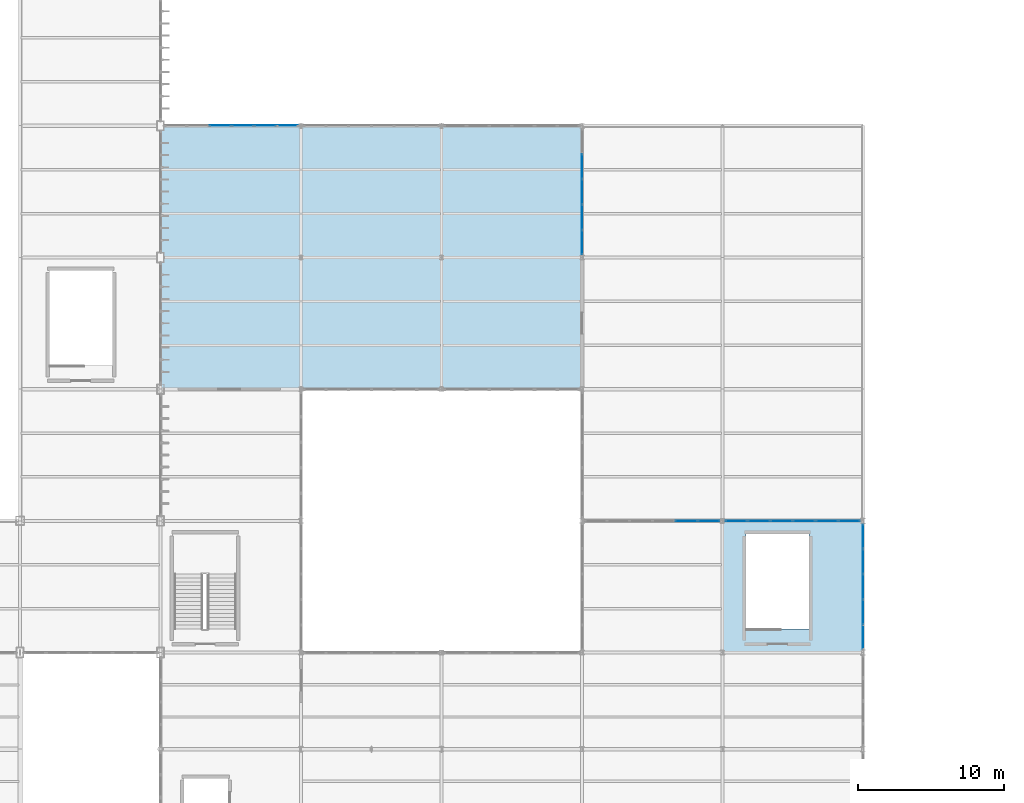
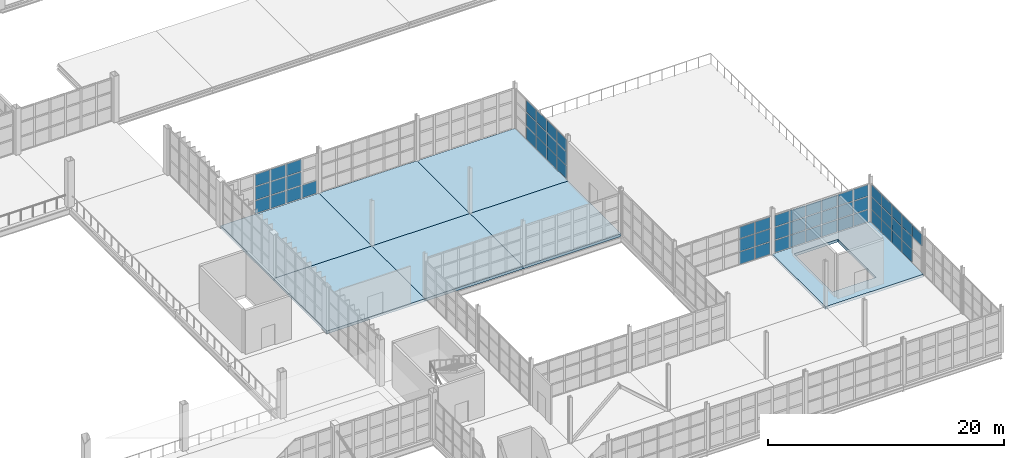
# One storey, part 93 of 120: 59 plates, 7 slabs, 5 elements without a shape of their own.
"""IFC4 building model written with IfcOpenShell, lengths in metres."""

from ifc_helpers import new_model, si_unit, direction, frame, origin, origin_2d, place, context, subcontext, project, spatial, polyline, rectangle, outline, extrude, material, layer, layer_set, type_object, element, aggregate, save


model = new_model("IFC4")

# Units and contexts
model_context = context("Model", 3, precision=1e-05, world=origin(), true_north=direction((0.0, 1.0)))
body_context = subcontext(model_context, "Body", "Model", "MODEL_VIEW")
ifc_project = project(units=[si_unit("LENGTHUNIT", "METRE"), si_unit("AREAUNIT", "SQUARE_METRE"), si_unit("VOLUMEUNIT", "CUBIC_METRE"), si_unit("PLANEANGLEUNIT", "RADIAN"), si_unit("MASSUNIT", "GRAM", prefix="KILO")], contexts=[model_context])

# Site, building, storey
site_placement = place(None, origin())
site = spatial("IfcSite", under=ifc_project, at=site_placement, CompositionType="ELEMENT")
building_placement = place(site_placement, origin())
building = spatial("IfcBuilding", under=site, at=building_placement, Name="Zarnetskaya Central Station", CompositionType="ELEMENT")
storey_placement = place(building_placement, frame((0.0, 0.0, 5.39990234375)))
storey = spatial("IfcBuildingStorey", under=building, at=storey_placement, Name="L01", CompositionType="ELEMENT", Elevation=5.39990234375)

# Curtain wall, plates
ifc_material_1 = material(Name="Low-E insulated glass", Category="glass")
ifc_layer_1 = layer(ifc_material_1, 0.159912109375, Name="Low-E insulated glass", Category="glass")
ifc_layer_set_1 = layer_set([ifc_layer_1], Name="Low-E insulated glass")
curtain_wall_type = type_object("IfcCurtainWallType", Name="CW-SYS-06", PredefinedType="USERDEFINED", material=ifc_layer_set_1)
curtain_wall_1_placement = place(storey_placement, origin())
curtain_wall_1 = element("IfcCurtainWall", 1, at=curtain_wall_1_placement, inside=storey, type_object=curtain_wall_type, Name="Curtain wall CW-L01-115", ObjectType="CURTAIN WALL", PredefinedType="USERDEFINED")
ifc_layer_2 = layer(ifc_material_1, 0.028076171875, Name="Low-E insulated glass", Category="glass")
ifc_layer_set_2 = layer_set([ifc_layer_2], Name="Low-E insulated glass")
plate_type_1 = type_object("IfcPlateType", Name="CW-PAN-28", PredefinedType="CURTAIN_PANEL", material=ifc_layer_set_2)
plate_1_placement = place(storey_placement, frame((153.60009765625, 46.4189453125, 0.0703125), z_axis=(0.0, 0.0, 1.0), x_axis=(0.0, -1.0, 0.0)))
plate_1 = element("IfcPlate", 2, at=plate_1_placement, type_object=plate_type_1, Name="CW-02 panel 2.1", PredefinedType="CURTAIN_PANEL", context=body_context, shape_type="SweptSolid", body=[
    extrude(rectangle(XDim=1.6640625, YDim=0.028076171875, at=origin_2d()), origin(), (0.0, 0.0, 1.0), 1.322998046875),
])
plate_2_placement = place(storey_placement, frame((153.60009765625, 46.4189453125, 1.463134765625), z_axis=(0.0, 0.0, 1.0), x_axis=(0.0, -1.0, 0.0)))
plate_2 = element("IfcPlate", 3, at=plate_2_placement, type_object=plate_type_1, Name="CW-02 panel 2.2", PredefinedType="CURTAIN_PANEL", context=body_context, shape_type="SweptSolid", body=[
    extrude(rectangle(XDim=1.6640625, YDim=0.028076171875, at=origin_2d()), origin(), (0.0, 0.0, 1.0), 1.35791015625),
])
plate_3_placement = place(storey_placement, frame((153.60009765625, 46.4189453125, 2.89111328125), z_axis=(0.0, 0.0, 1.0), x_axis=(0.0, -1.0, 0.0)))
plate_3 = element("IfcPlate", 4, at=plate_3_placement, type_object=plate_type_1, Name="CW-02 panel 2.3", PredefinedType="CURTAIN_PANEL", context=body_context, shape_type="SweptSolid", body=[
    extrude(rectangle(XDim=1.6640625, YDim=0.028076171875, at=origin_2d()), origin(), (0.0, 0.0, 1.0), 1.239013671875),
])
plate_4_placement = place(storey_placement, frame((153.60009765625, 44.68505859375, 0.0703125), z_axis=(0.0, 0.0, 1.0), x_axis=(0.0, -1.0, 0.0)))
plate_4 = element("IfcPlate", 5, at=plate_4_placement, type_object=plate_type_1, Name="CW-02 panel 3.1", PredefinedType="CURTAIN_PANEL", context=body_context, shape_type="SweptSolid", body=[
    extrude(rectangle(XDim=1.6640625, YDim=0.028076171875, at=origin_2d()), origin(), (0.0, 0.0, 1.0), 1.322998046875),
])
plate_5_placement = place(storey_placement, frame((153.60009765625, 44.68505859375, 1.463134765625), z_axis=(0.0, 0.0, 1.0), x_axis=(0.0, -1.0, 0.0)))
plate_5 = element("IfcPlate", 6, at=plate_5_placement, type_object=plate_type_1, Name="CW-02 panel 3.2", PredefinedType="CURTAIN_PANEL", context=body_context, shape_type="SweptSolid", body=[
    extrude(rectangle(XDim=1.6640625, YDim=0.028076171875, at=origin_2d()), origin(), (0.0, 0.0, 1.0), 1.35791015625),
])
plate_6_placement = place(storey_placement, frame((153.60009765625, 44.68505859375, 2.89111328125), z_axis=(0.0, 0.0, 1.0), x_axis=(0.0, -1.0, 0.0)))
plate_6 = element("IfcPlate", 7, at=plate_6_placement, type_object=plate_type_1, Name="CW-02 panel 3.3", PredefinedType="CURTAIN_PANEL", context=body_context, shape_type="SweptSolid", body=[
    extrude(rectangle(XDim=1.6640625, YDim=0.028076171875, at=origin_2d()), origin(), (0.0, 0.0, 1.0), 1.239013671875),
])
plate_7_placement = place(storey_placement, frame((153.60009765625, 42.950927734375, 0.0703125), z_axis=(0.0, 0.0, 1.0), x_axis=(0.0, -1.0, 0.0)))
plate_7 = element("IfcPlate", 8, at=plate_7_placement, type_object=plate_type_1, Name="CW-02 panel 4.1", PredefinedType="CURTAIN_PANEL", context=body_context, shape_type="SweptSolid", body=[
    extrude(rectangle(XDim=1.6640625, YDim=0.028076171875, at=origin_2d()), origin(), (0.0, 0.0, 1.0), 1.322998046875),
])
plate_8_placement = place(storey_placement, frame((153.60009765625, 42.950927734375, 1.463134765625), z_axis=(0.0, 0.0, 1.0), x_axis=(0.0, -1.0, 0.0)))
plate_8 = element("IfcPlate", 9, at=plate_8_placement, type_object=plate_type_1, Name="CW-02 panel 4.2", PredefinedType="CURTAIN_PANEL", context=body_context, shape_type="SweptSolid", body=[
    extrude(rectangle(XDim=1.6640625, YDim=0.028076171875, at=origin_2d()), origin(), (0.0, 0.0, 1.0), 1.35791015625),
])
plate_9_placement = place(storey_placement, frame((153.60009765625, 42.950927734375, 2.89111328125), z_axis=(0.0, 0.0, 1.0), x_axis=(0.0, -1.0, 0.0)))
plate_9 = element("IfcPlate", 10, at=plate_9_placement, type_object=plate_type_1, Name="CW-02 panel 4.3", PredefinedType="CURTAIN_PANEL", context=body_context, shape_type="SweptSolid", body=[
    extrude(rectangle(XDim=1.6640625, YDim=0.028076171875, at=origin_2d()), origin(), (0.0, 0.0, 1.0), 1.239013671875),
])
plate_10_placement = place(storey_placement, frame((153.60009765625, 41.234619140625, 0.0703125), z_axis=(0.0, 0.0, 1.0), x_axis=(0.0, -1.0, 0.0)))
plate_10 = element("IfcPlate", 11, at=plate_10_placement, type_object=plate_type_1, Name="CW-02 panel 5.1", PredefinedType="CURTAIN_PANEL", context=body_context, shape_type="SweptSolid", body=[
    extrude(rectangle(XDim=1.62890625, YDim=0.028076171875, at=origin_2d()), origin(), (0.0, 0.0, 1.0), 1.322998046875),
])
plate_11_placement = place(storey_placement, frame((153.60009765625, 41.234619140625, 1.463134765625), z_axis=(0.0, 0.0, 1.0), x_axis=(0.0, -1.0, 0.0)))
plate_11 = element("IfcPlate", 12, at=plate_11_placement, type_object=plate_type_1, Name="CW-02 panel 5.2", PredefinedType="CURTAIN_PANEL", context=body_context, shape_type="SweptSolid", body=[
    extrude(rectangle(XDim=1.62890625, YDim=0.028076171875, at=origin_2d()), origin(), (0.0, 0.0, 1.0), 1.35791015625),
])
plate_12_placement = place(storey_placement, frame((153.60009765625, 41.234619140625, 2.89111328125), z_axis=(0.0, 0.0, 1.0), x_axis=(0.0, -1.0, 0.0)))
plate_12 = element("IfcPlate", 13, at=plate_12_placement, type_object=plate_type_1, Name="CW-02 panel 5.3", PredefinedType="CURTAIN_PANEL", context=body_context, shape_type="SweptSolid", body=[
    extrude(rectangle(XDim=1.62890625, YDim=0.028076171875, at=origin_2d()), origin(), (0.0, 0.0, 1.0), 1.239013671875),
])
aggregate(curtain_wall_1, [plate_1, plate_2, plate_3, plate_4, plate_5, plate_6, plate_7, plate_8, plate_9, plate_10, plate_11, plate_12])

curtain_wall_2_placement = place(storey_placement, origin())
curtain_wall_2 = element("IfcCurtainWall", 14, at=curtain_wall_2_placement, inside=storey, type_object=curtain_wall_type, Name="Curtain wall CW-L01-112", ObjectType="CURTAIN WALL", PredefinedType="USERDEFINED")
ifc_layer_3 = layer(ifc_material_1, 0.035888671875, Name="Low-E insulated glass", Category="glass")
ifc_layer_set_3 = layer_set([ifc_layer_3], Name="Low-E insulated glass")
plate_type_2 = type_object("IfcPlateType", Name="CW-PAN-36", PredefinedType="CURTAIN_PANEL", material=ifc_layer_set_3)
plate_13_placement = place(storey_placement, frame((128.88330078125, 49.199951171875, 0.080078125), z_axis=(0.0, 0.0, 1.0), x_axis=(1.0, 0.0, 0.0)))
plate_13 = element("IfcPlate", 15, at=plate_13_placement, type_object=plate_type_2, Name="CW-02 panel 3.1", PredefinedType="CURTAIN_PANEL", context=body_context, shape_type="SweptSolid", body=[
    extrude(rectangle(XDim=1.453369140625, YDim=0.035888671875, at=origin_2d()), origin(), (0.0, 0.0, 1.0), 1.30810546875),
])
plate_14_placement = place(storey_placement, frame((128.88330078125, 49.199951171875, 1.46826171875), z_axis=(0.0, 0.0, 1.0), x_axis=(1.0, 0.0, 0.0)))
plate_14 = element("IfcPlate", 16, at=plate_14_placement, type_object=plate_type_2, Name="CW-02 panel 3.2", PredefinedType="CURTAIN_PANEL", context=body_context, shape_type="SweptSolid", body=[
    extrude(rectangle(XDim=1.453369140625, YDim=0.035888671875, at=origin_2d()), origin(), (0.0, 0.0, 1.0), 1.347900390625),
])
plate_15_placement = place(storey_placement, frame((128.88330078125, 49.199951171875, 2.89599609375), z_axis=(0.0, 0.0, 1.0), x_axis=(1.0, 0.0, 0.0)))
plate_15 = element("IfcPlate", 17, at=plate_15_placement, type_object=plate_type_2, Name="CW-02 panel 3.3", PredefinedType="CURTAIN_PANEL", context=body_context, shape_type="SweptSolid", body=[
    extrude(rectangle(XDim=1.453369140625, YDim=0.035888671875, at=origin_2d()), origin(), (0.0, 0.0, 1.0), 1.22412109375),
])
plate_16_placement = place(storey_placement, frame((130.416748046875, 49.199951171875, 0.080078125), z_axis=(0.0, 0.0, 1.0), x_axis=(1.0, 0.0, 0.0)))
plate_16 = element("IfcPlate", 18, at=plate_16_placement, type_object=plate_type_2, Name="CW-02 panel 4.1", PredefinedType="CURTAIN_PANEL", context=body_context, shape_type="SweptSolid", body=[
    extrude(rectangle(XDim=1.453369140625, YDim=0.035888671875, at=origin_2d()), origin(), (0.0, 0.0, 1.0), 1.30810546875),
])
plate_17_placement = place(storey_placement, frame((130.416748046875, 49.199951171875, 1.46826171875), z_axis=(0.0, 0.0, 1.0), x_axis=(1.0, 0.0, 0.0)))
plate_17 = element("IfcPlate", 19, at=plate_17_placement, type_object=plate_type_2, Name="CW-02 panel 4.2", PredefinedType="CURTAIN_PANEL", context=body_context, shape_type="SweptSolid", body=[
    extrude(rectangle(XDim=1.453369140625, YDim=0.035888671875, at=origin_2d()), origin(), (0.0, 0.0, 1.0), 1.347900390625),
])
plate_18_placement = place(storey_placement, frame((130.416748046875, 49.199951171875, 2.89599609375), z_axis=(0.0, 0.0, 1.0), x_axis=(1.0, 0.0, 0.0)))
plate_18 = element("IfcPlate", 20, at=plate_18_placement, type_object=plate_type_2, Name="CW-02 panel 4.3", PredefinedType="CURTAIN_PANEL", context=body_context, shape_type="SweptSolid", body=[
    extrude(rectangle(XDim=1.453369140625, YDim=0.035888671875, at=origin_2d()), origin(), (0.0, 0.0, 1.0), 1.22412109375),
])
plate_19_placement = place(storey_placement, frame((131.949951171875, 49.199951171875, 0.080078125), z_axis=(0.0, 0.0, 1.0), x_axis=(1.0, 0.0, 0.0)))
plate_19 = element("IfcPlate", 21, at=plate_19_placement, type_object=plate_type_2, Name="CW-02 panel 5.1", PredefinedType="CURTAIN_PANEL", context=body_context, shape_type="SweptSolid", body=[
    extrude(rectangle(XDim=1.453369140625, YDim=0.035888671875, at=origin_2d()), origin(), (0.0, 0.0, 1.0), 1.30810546875),
])
plate_20_placement = place(storey_placement, frame((131.949951171875, 49.199951171875, 1.46826171875), z_axis=(0.0, 0.0, 1.0), x_axis=(1.0, 0.0, 0.0)))
plate_20 = element("IfcPlate", 22, at=plate_20_placement, type_object=plate_type_2, Name="CW-02 panel 5.2", PredefinedType="CURTAIN_PANEL", context=body_context, shape_type="SweptSolid", body=[
    extrude(rectangle(XDim=1.453369140625, YDim=0.035888671875, at=origin_2d()), origin(), (0.0, 0.0, 1.0), 1.347900390625),
])
plate_21_placement = place(storey_placement, frame((131.949951171875, 49.199951171875, 2.89599609375), z_axis=(0.0, 0.0, 1.0), x_axis=(1.0, 0.0, 0.0)))
plate_21 = element("IfcPlate", 23, at=plate_21_placement, type_object=plate_type_2, Name="CW-02 panel 5.3", PredefinedType="CURTAIN_PANEL", context=body_context, shape_type="SweptSolid", body=[
    extrude(rectangle(XDim=1.453369140625, YDim=0.035888671875, at=origin_2d()), origin(), (0.0, 0.0, 1.0), 1.22412109375),
])
plate_22_placement = place(storey_placement, frame((133.46337890625, 49.199951171875, 0.080078125), z_axis=(0.0, 0.0, 1.0), x_axis=(1.0, 0.0, 0.0)))
plate_22 = element("IfcPlate", 24, at=plate_22_placement, type_object=plate_type_2, Name="CW-02 panel 6.1", PredefinedType="CURTAIN_PANEL", context=body_context, shape_type="SweptSolid", body=[
    extrude(rectangle(XDim=1.413330078125, YDim=0.035888671875, at=origin_2d()), origin(), (0.0, 0.0, 1.0), 1.30810546875),
])
aggregate(curtain_wall_2, [plate_13, plate_14, plate_15, plate_16, plate_17, plate_18, plate_19, plate_20, plate_21, plate_22])

curtain_wall_3_placement = place(storey_placement, origin())
curtain_wall_3 = element("IfcCurtainWall", 25, at=curtain_wall_3_placement, inside=storey, type_object=curtain_wall_type, Name="Curtain wall CW-L01-117", ObjectType="CURTAIN WALL", PredefinedType="USERDEFINED")
plate_23_placement = place(storey_placement, frame((160.72509765625, 22.199951171875, 0.070068359375), z_axis=(0.0, 0.0, 1.0), x_axis=(1.0, 0.0, 0.0)))
plate_23 = element("IfcPlate", 26, at=plate_23_placement, type_object=plate_type_2, Name="CW-02 panel 5.1", PredefinedType="CURTAIN_PANEL", context=body_context, shape_type="SweptSolid", body=[
    extrude(rectangle(XDim=1.47998046875, YDim=0.035888671875, at=origin_2d()), origin(), (0.0, 0.0, 1.0), 1.248046875),
])
plate_24_placement = place(storey_placement, frame((160.72509765625, 22.199951171875, 1.38818359375), z_axis=(0.0, 0.0, 1.0), x_axis=(1.0, 0.0, 0.0)))
plate_24 = element("IfcPlate", 27, at=plate_24_placement, type_object=plate_type_2, Name="CW-02 panel 5.2", PredefinedType="CURTAIN_PANEL", context=body_context, shape_type="SweptSolid", body=[
    extrude(rectangle(XDim=1.47998046875, YDim=0.035888671875, at=origin_2d()), origin(), (0.0, 0.0, 1.0), 1.282958984375),
])
plate_25_placement = place(storey_placement, frame((160.72509765625, 22.199951171875, 2.7412109375), z_axis=(0.0, 0.0, 1.0), x_axis=(1.0, 0.0, 0.0)))
plate_25 = element("IfcPlate", 28, at=plate_25_placement, type_object=plate_type_2, Name="CW-02 panel 5.3", PredefinedType="CURTAIN_PANEL", context=body_context, shape_type="SweptSolid", body=[
    extrude(rectangle(XDim=1.47998046875, YDim=0.035888671875, at=origin_2d()), origin(), (0.0, 0.0, 1.0), 1.1689453125),
])
plate_26_placement = place(storey_placement, frame((162.257568359375, 22.199951171875, 0.070068359375), z_axis=(0.0, 0.0, 1.0), x_axis=(1.0, 0.0, 0.0)))
plate_26 = element("IfcPlate", 29, at=plate_26_placement, type_object=plate_type_2, Name="CW-02 panel 6.1", PredefinedType="CURTAIN_PANEL", context=body_context, shape_type="SweptSolid", body=[
    extrude(rectangle(XDim=1.445068359375, YDim=0.035888671875, at=origin_2d()), origin(), (0.0, 0.0, 1.0), 1.248046875),
])
plate_27_placement = place(storey_placement, frame((162.257568359375, 22.199951171875, 1.38818359375), z_axis=(0.0, 0.0, 1.0), x_axis=(1.0, 0.0, 0.0)))
plate_27 = element("IfcPlate", 30, at=plate_27_placement, type_object=plate_type_2, Name="CW-02 panel 6.2", PredefinedType="CURTAIN_PANEL", context=body_context, shape_type="SweptSolid", body=[
    extrude(rectangle(XDim=1.445068359375, YDim=0.035888671875, at=origin_2d()), origin(), (0.0, 0.0, 1.0), 1.282958984375),
])
plate_28_placement = place(storey_placement, frame((162.257568359375, 22.199951171875, 2.7412109375), z_axis=(0.0, 0.0, 1.0), x_axis=(1.0, 0.0, 0.0)))
plate_28 = element("IfcPlate", 31, at=plate_28_placement, type_object=plate_type_2, Name="CW-02 panel 6.3", PredefinedType="CURTAIN_PANEL", context=body_context, shape_type="SweptSolid", body=[
    extrude(rectangle(XDim=1.445068359375, YDim=0.035888671875, at=origin_2d()), origin(), (0.0, 0.0, 1.0), 1.1689453125),
])
aggregate(curtain_wall_3, [plate_23, plate_24, plate_25, plate_26, plate_27, plate_28])

curtain_wall_4_placement = place(storey_placement, origin())
curtain_wall_4 = element("IfcCurtainWall", 32, at=curtain_wall_4_placement, inside=storey, type_object=curtain_wall_type, Name="Curtain wall CW-L01-118", ObjectType="CURTAIN WALL", PredefinedType="USERDEFINED")
ifc_layer_4 = layer(ifc_material_1, 0.0400390625, Name="Low-E insulated glass", Category="glass")
ifc_layer_set_4 = layer_set([ifc_layer_4], Name="Low-E insulated glass")
plate_type_3 = type_object("IfcPlateType", Name="CW-PAN-40", PredefinedType="CURTAIN_PANEL", material=ifc_layer_set_4)
plate_29_placement = place(storey_placement, frame((164.14501953125, 22.199951171875, 0.080078125), z_axis=(0.0, 0.0, 1.0), x_axis=(1.0, 0.0, 0.0)))
plate_29 = element("IfcPlate", 33, at=plate_29_placement, type_object=plate_type_3, Name="CW-02 panel 1.1", PredefinedType="CURTAIN_PANEL", context=body_context, shape_type="SweptSolid", body=[
    extrude(rectangle(XDim=1.429931640625, YDim=0.0400390625, at=origin_2d()), origin(), (0.0, 0.0, 1.0), 1.23291015625),
])
plate_30_placement = place(storey_placement, frame((164.14501953125, 22.199951171875, 1.39306640625), z_axis=(0.0, 0.0, 1.0), x_axis=(1.0, 0.0, 0.0)))
plate_30 = element("IfcPlate", 34, at=plate_30_placement, type_object=plate_type_3, Name="CW-02 panel 1.2", PredefinedType="CURTAIN_PANEL", context=body_context, shape_type="SweptSolid", body=[
    extrude(rectangle(XDim=1.429931640625, YDim=0.0400390625, at=origin_2d()), origin(), (0.0, 0.0, 1.0), 1.27294921875),
])
plate_31_placement = place(storey_placement, frame((164.14501953125, 22.199951171875, 2.74609375), z_axis=(0.0, 0.0, 1.0), x_axis=(1.0, 0.0, 0.0)))
plate_31 = element("IfcPlate", 35, at=plate_31_placement, type_object=plate_type_3, Name="CW-02 panel 1.3", PredefinedType="CURTAIN_PANEL", context=body_context, shape_type="SweptSolid", body=[
    extrude(rectangle(XDim=1.429931640625, YDim=0.0400390625, at=origin_2d()), origin(), (0.0, 0.0, 1.0), 1.154052734375),
])
plate_32_placement = place(storey_placement, frame((165.675048828125, 22.199951171875, 0.080078125), z_axis=(0.0, 0.0, 1.0), x_axis=(1.0, 0.0, 0.0)))
plate_32 = element("IfcPlate", 36, at=plate_32_placement, type_object=plate_type_3, Name="CW-02 panel 2.1", PredefinedType="CURTAIN_PANEL", context=body_context, shape_type="SweptSolid", body=[
    extrude(rectangle(XDim=1.469970703125, YDim=0.0400390625, at=origin_2d()), origin(), (0.0, 0.0, 1.0), 1.23291015625),
])
plate_33_placement = place(storey_placement, frame((165.675048828125, 22.199951171875, 1.39306640625), z_axis=(0.0, 0.0, 1.0), x_axis=(1.0, 0.0, 0.0)))
plate_33 = element("IfcPlate", 37, at=plate_33_placement, type_object=plate_type_3, Name="CW-02 panel 2.2", PredefinedType="CURTAIN_PANEL", context=body_context, shape_type="SweptSolid", body=[
    extrude(rectangle(XDim=1.469970703125, YDim=0.0400390625, at=origin_2d()), origin(), (0.0, 0.0, 1.0), 1.27294921875),
])
plate_34_placement = place(storey_placement, frame((165.675048828125, 22.199951171875, 2.74609375), z_axis=(0.0, 0.0, 1.0), x_axis=(1.0, 0.0, 0.0)))
plate_34 = element("IfcPlate", 38, at=plate_34_placement, type_object=plate_type_3, Name="CW-02 panel 2.3", PredefinedType="CURTAIN_PANEL", context=body_context, shape_type="SweptSolid", body=[
    extrude(rectangle(XDim=1.469970703125, YDim=0.0400390625, at=origin_2d()), origin(), (0.0, 0.0, 1.0), 1.154052734375),
])
plate_35_placement = place(storey_placement, frame((167.22509765625, 22.199951171875, 0.080078125), z_axis=(0.0, 0.0, 1.0), x_axis=(1.0, 0.0, 0.0)))
plate_35 = element("IfcPlate", 39, at=plate_35_placement, type_object=plate_type_3, Name="CW-02 panel 3.1", PredefinedType="CURTAIN_PANEL", context=body_context, shape_type="SweptSolid", body=[
    extrude(rectangle(XDim=1.469970703125, YDim=0.0400390625, at=origin_2d()), origin(), (0.0, 0.0, 1.0), 1.23291015625),
])
plate_36_placement = place(storey_placement, frame((167.22509765625, 22.199951171875, 1.39306640625), z_axis=(0.0, 0.0, 1.0), x_axis=(1.0, 0.0, 0.0)))
plate_36 = element("IfcPlate", 40, at=plate_36_placement, type_object=plate_type_3, Name="CW-02 panel 3.2", PredefinedType="CURTAIN_PANEL", context=body_context, shape_type="SweptSolid", body=[
    extrude(rectangle(XDim=1.469970703125, YDim=0.0400390625, at=origin_2d()), origin(), (0.0, 0.0, 1.0), 1.27294921875),
])
plate_37_placement = place(storey_placement, frame((167.22509765625, 22.199951171875, 2.74609375), z_axis=(0.0, 0.0, 1.0), x_axis=(1.0, 0.0, 0.0)))
plate_37 = element("IfcPlate", 41, at=plate_37_placement, type_object=plate_type_3, Name="CW-02 panel 3.3", PredefinedType="CURTAIN_PANEL", context=body_context, shape_type="SweptSolid", body=[
    extrude(rectangle(XDim=1.469970703125, YDim=0.0400390625, at=origin_2d()), origin(), (0.0, 0.0, 1.0), 1.154052734375),
])
plate_38_placement = place(storey_placement, frame((168.77490234375, 22.199951171875, 0.080078125), z_axis=(0.0, 0.0, 1.0), x_axis=(1.0, 0.0, 0.0)))
plate_38 = element("IfcPlate", 42, at=plate_38_placement, type_object=plate_type_3, Name="CW-02 panel 4.1", PredefinedType="CURTAIN_PANEL", context=body_context, shape_type="SweptSolid", body=[
    extrude(rectangle(XDim=1.469970703125, YDim=0.0400390625, at=origin_2d()), origin(), (0.0, 0.0, 1.0), 1.23291015625),
])
plate_39_placement = place(storey_placement, frame((168.77490234375, 22.199951171875, 1.39306640625), z_axis=(0.0, 0.0, 1.0), x_axis=(1.0, 0.0, 0.0)))
plate_39 = element("IfcPlate", 43, at=plate_39_placement, type_object=plate_type_3, Name="CW-02 panel 4.2", PredefinedType="CURTAIN_PANEL", context=body_context, shape_type="SweptSolid", body=[
    extrude(rectangle(XDim=1.469970703125, YDim=0.0400390625, at=origin_2d()), origin(), (0.0, 0.0, 1.0), 1.27294921875),
])
plate_40_placement = place(storey_placement, frame((168.77490234375, 22.199951171875, 2.74609375), z_axis=(0.0, 0.0, 1.0), x_axis=(1.0, 0.0, 0.0)))
plate_40 = element("IfcPlate", 44, at=plate_40_placement, type_object=plate_type_3, Name="CW-02 panel 4.3", PredefinedType="CURTAIN_PANEL", context=body_context, shape_type="SweptSolid", body=[
    extrude(rectangle(XDim=1.469970703125, YDim=0.0400390625, at=origin_2d()), origin(), (0.0, 0.0, 1.0), 1.154052734375),
])
plate_41_placement = place(storey_placement, frame((170.324951171875, 22.199951171875, 0.080078125), z_axis=(0.0, 0.0, 1.0), x_axis=(1.0, 0.0, 0.0)))
plate_41 = element("IfcPlate", 45, at=plate_41_placement, type_object=plate_type_3, Name="CW-02 panel 5.1", PredefinedType="CURTAIN_PANEL", context=body_context, shape_type="SweptSolid", body=[
    extrude(rectangle(XDim=1.469970703125, YDim=0.0400390625, at=origin_2d()), origin(), (0.0, 0.0, 1.0), 1.23291015625),
])
plate_42_placement = place(storey_placement, frame((170.324951171875, 22.199951171875, 1.39306640625), z_axis=(0.0, 0.0, 1.0), x_axis=(1.0, 0.0, 0.0)))
plate_42 = element("IfcPlate", 46, at=plate_42_placement, type_object=plate_type_3, Name="CW-02 panel 5.2", PredefinedType="CURTAIN_PANEL", context=body_context, shape_type="SweptSolid", body=[
    extrude(rectangle(XDim=1.469970703125, YDim=0.0400390625, at=origin_2d()), origin(), (0.0, 0.0, 1.0), 1.27294921875),
])
plate_43_placement = place(storey_placement, frame((170.324951171875, 22.199951171875, 2.74609375), z_axis=(0.0, 0.0, 1.0), x_axis=(1.0, 0.0, 0.0)))
plate_43 = element("IfcPlate", 47, at=plate_43_placement, type_object=plate_type_3, Name="CW-02 panel 5.3", PredefinedType="CURTAIN_PANEL", context=body_context, shape_type="SweptSolid", body=[
    extrude(rectangle(XDim=1.469970703125, YDim=0.0400390625, at=origin_2d()), origin(), (0.0, 0.0, 1.0), 1.154052734375),
])
plate_44_placement = place(storey_placement, frame((171.85498046875, 22.199951171875, 0.080078125), z_axis=(0.0, 0.0, 1.0), x_axis=(1.0, 0.0, 0.0)))
plate_44 = element("IfcPlate", 48, at=plate_44_placement, type_object=plate_type_3, Name="CW-02 panel 6.1", PredefinedType="CURTAIN_PANEL", context=body_context, shape_type="SweptSolid", body=[
    extrude(rectangle(XDim=1.429931640625, YDim=0.0400390625, at=origin_2d()), origin(), (0.0, 0.0, 1.0), 1.23291015625),
])
plate_45_placement = place(storey_placement, frame((171.85498046875, 22.199951171875, 1.39306640625), z_axis=(0.0, 0.0, 1.0), x_axis=(1.0, 0.0, 0.0)))
plate_45 = element("IfcPlate", 49, at=plate_45_placement, type_object=plate_type_3, Name="CW-02 panel 6.2", PredefinedType="CURTAIN_PANEL", context=body_context, shape_type="SweptSolid", body=[
    extrude(rectangle(XDim=1.429931640625, YDim=0.0400390625, at=origin_2d()), origin(), (0.0, 0.0, 1.0), 1.27294921875),
])
plate_46_placement = place(storey_placement, frame((171.85498046875, 22.199951171875, 2.74609375), z_axis=(0.0, 0.0, 1.0), x_axis=(1.0, 0.0, 0.0)))
plate_46 = element("IfcPlate", 50, at=plate_46_placement, type_object=plate_type_3, Name="CW-02 panel 6.3", PredefinedType="CURTAIN_PANEL", context=body_context, shape_type="SweptSolid", body=[
    extrude(rectangle(XDim=1.429931640625, YDim=0.0400390625, at=origin_2d()), origin(), (0.0, 0.0, 1.0), 1.154052734375),
])
aggregate(curtain_wall_4, [plate_29, plate_30, plate_31, plate_32, plate_33, plate_34, plate_35, plate_36, plate_37, plate_38, plate_39, plate_40, plate_41, plate_42, plate_43, plate_44, plate_45, plate_46])

curtain_wall_5_placement = place(storey_placement, origin())
curtain_wall_5 = element("IfcCurtainWall", 51, at=curtain_wall_5_placement, inside=storey, type_object=curtain_wall_type, Name="Curtain wall CW-L01-119", ObjectType="CURTAIN WALL", PredefinedType="USERDEFINED")
ifc_layer_5 = layer(ifc_material_1, 0.0439453125, Name="Low-E insulated glass", Category="glass")
ifc_layer_set_5 = layer_set([ifc_layer_5], Name="Low-E insulated glass")
plate_type_4 = type_object("IfcPlateType", Name="CW-PAN-44", PredefinedType="CURTAIN_PANEL", material=ifc_layer_set_5)
plate_47_placement = place(storey_placement, frame((172.800048828125, 21.138427734375, 0.0703125), z_axis=(0.0, 0.0, 1.0), x_axis=(0.0, -1.0, 0.0)))
plate_47 = element("IfcPlate", 52, at=plate_47_placement, type_object=plate_type_4, Name="CW-02 panel 1.1", PredefinedType="CURTAIN_PANEL", context=body_context, shape_type="SweptSolid", body=[
    extrude(rectangle(XDim=1.623046875, YDim=0.0439453125, at=origin_2d()), origin(), (0.0, 0.0, 1.0), 1.264892578125),
])
plate_48_placement = place(storey_placement, frame((172.800048828125, 21.138427734375, 1.4052734375), z_axis=(0.0, 0.0, 1.0), x_axis=(0.0, -1.0, 0.0)))
plate_48 = element("IfcPlate", 53, at=plate_48_placement, type_object=plate_type_4, Name="CW-02 panel 1.2", PredefinedType="CURTAIN_PANEL", context=body_context, shape_type="SweptSolid", body=[
    extrude(rectangle(XDim=1.623046875, YDim=0.0439453125, at=origin_2d()), origin(), (0.0, 0.0, 1.0), 1.300048828125),
])
plate_49_placement = place(storey_placement, frame((172.800048828125, 21.138427734375, 2.775146484375), z_axis=(0.0, 0.0, 1.0), x_axis=(0.0, -1.0, 0.0)))
plate_49 = element("IfcPlate", 54, at=plate_49_placement, type_object=plate_type_4, Name="CW-02 panel 1.3", PredefinedType="CURTAIN_PANEL", context=body_context, shape_type="SweptSolid", body=[
    extrude(rectangle(XDim=1.623046875, YDim=0.0439453125, at=origin_2d()), origin(), (0.0, 0.0, 1.0), 1.18505859375),
])
plate_50_placement = place(storey_placement, frame((172.800048828125, 19.427978515625, 0.0703125), z_axis=(0.0, 0.0, 1.0), x_axis=(0.0, -1.0, 0.0)))
plate_50 = element("IfcPlate", 55, at=plate_50_placement, type_object=plate_type_4, Name="CW-02 panel 2.1", PredefinedType="CURTAIN_PANEL", context=body_context, shape_type="SweptSolid", body=[
    extrude(rectangle(XDim=1.657958984375, YDim=0.0439453125, at=origin_2d()), origin(), (0.0, 0.0, 1.0), 1.264892578125),
])
plate_51_placement = place(storey_placement, frame((172.800048828125, 19.427978515625, 1.4052734375), z_axis=(0.0, 0.0, 1.0), x_axis=(0.0, -1.0, 0.0)))
plate_51 = element("IfcPlate", 56, at=plate_51_placement, type_object=plate_type_4, Name="CW-02 panel 2.2", PredefinedType="CURTAIN_PANEL", context=body_context, shape_type="SweptSolid", body=[
    extrude(rectangle(XDim=1.657958984375, YDim=0.0439453125, at=origin_2d()), origin(), (0.0, 0.0, 1.0), 1.300048828125),
])
plate_52_placement = place(storey_placement, frame((172.800048828125, 19.427978515625, 2.775146484375), z_axis=(0.0, 0.0, 1.0), x_axis=(0.0, -1.0, 0.0)))
plate_52 = element("IfcPlate", 57, at=plate_52_placement, type_object=plate_type_4, Name="CW-02 panel 2.3", PredefinedType="CURTAIN_PANEL", context=body_context, shape_type="SweptSolid", body=[
    extrude(rectangle(XDim=1.657958984375, YDim=0.0439453125, at=origin_2d()), origin(), (0.0, 0.0, 1.0), 1.18505859375),
])
plate_53_placement = place(storey_placement, frame((172.800048828125, 17.699951171875, 0.0703125), z_axis=(0.0, 0.0, 1.0), x_axis=(0.0, -1.0, 0.0)))
plate_53 = element("IfcPlate", 58, at=plate_53_placement, type_object=plate_type_4, Name="CW-02 panel 3.1", PredefinedType="CURTAIN_PANEL", context=body_context, shape_type="SweptSolid", body=[
    extrude(rectangle(XDim=1.657958984375, YDim=0.0439453125, at=origin_2d()), origin(), (0.0, 0.0, 1.0), 1.264892578125),
])
plate_54_placement = place(storey_placement, frame((172.800048828125, 17.699951171875, 1.4052734375), z_axis=(0.0, 0.0, 1.0), x_axis=(0.0, -1.0, 0.0)))
plate_54 = element("IfcPlate", 59, at=plate_54_placement, type_object=plate_type_4, Name="CW-02 panel 3.2", PredefinedType="CURTAIN_PANEL", context=body_context, shape_type="SweptSolid", body=[
    extrude(rectangle(XDim=1.657958984375, YDim=0.0439453125, at=origin_2d()), origin(), (0.0, 0.0, 1.0), 1.300048828125),
])
plate_55_placement = place(storey_placement, frame((172.800048828125, 17.699951171875, 2.775146484375), z_axis=(0.0, 0.0, 1.0), x_axis=(0.0, -1.0, 0.0)))
plate_55 = element("IfcPlate", 60, at=plate_55_placement, type_object=plate_type_4, Name="CW-02 panel 3.3", PredefinedType="CURTAIN_PANEL", context=body_context, shape_type="SweptSolid", body=[
    extrude(rectangle(XDim=1.657958984375, YDim=0.0439453125, at=origin_2d()), origin(), (0.0, 0.0, 1.0), 1.18505859375),
])
plate_56_placement = place(storey_placement, frame((172.800048828125, 15.971923828125, 0.0703125), z_axis=(0.0, 0.0, 1.0), x_axis=(0.0, -1.0, 0.0)))
plate_56 = element("IfcPlate", 61, at=plate_56_placement, type_object=plate_type_4, Name="CW-02 panel 4.1", PredefinedType="CURTAIN_PANEL", context=body_context, shape_type="SweptSolid", body=[
    extrude(rectangle(XDim=1.657958984375, YDim=0.0439453125, at=origin_2d()), origin(), (0.0, 0.0, 1.0), 1.264892578125),
])
plate_57_placement = place(storey_placement, frame((172.800048828125, 15.971923828125, 1.4052734375), z_axis=(0.0, 0.0, 1.0), x_axis=(0.0, -1.0, 0.0)))
plate_57 = element("IfcPlate", 62, at=plate_57_placement, type_object=plate_type_4, Name="CW-02 panel 4.2", PredefinedType="CURTAIN_PANEL", context=body_context, shape_type="SweptSolid", body=[
    extrude(rectangle(XDim=1.657958984375, YDim=0.0439453125, at=origin_2d()), origin(), (0.0, 0.0, 1.0), 1.300048828125),
])
plate_58_placement = place(storey_placement, frame((172.800048828125, 15.971923828125, 2.775146484375), z_axis=(0.0, 0.0, 1.0), x_axis=(0.0, -1.0, 0.0)))
plate_58 = element("IfcPlate", 63, at=plate_58_placement, type_object=plate_type_4, Name="CW-02 panel 4.3", PredefinedType="CURTAIN_PANEL", context=body_context, shape_type="SweptSolid", body=[
    extrude(rectangle(XDim=1.657958984375, YDim=0.0439453125, at=origin_2d()), origin(), (0.0, 0.0, 1.0), 1.18505859375),
])
plate_59_placement = place(storey_placement, frame((172.800048828125, 14.261474609375, 2.775146484375), z_axis=(0.0, 0.0, 1.0), x_axis=(0.0, -1.0, 0.0)))
plate_59 = element("IfcPlate", 64, at=plate_59_placement, type_object=plate_type_4, Name="CW-02 panel 5.3", PredefinedType="CURTAIN_PANEL", context=body_context, shape_type="SweptSolid", body=[
    extrude(rectangle(XDim=1.623046875, YDim=0.0439453125, at=origin_2d()), origin(), (0.0, 0.0, 1.0), 1.18505859375),
])
aggregate(curtain_wall_5, [plate_47, plate_48, plate_49, plate_50, plate_51, plate_52, plate_53, plate_54, plate_55, plate_56, plate_57, plate_58, plate_59])

# Slabs
ifc_material_2 = material(Name="Concrete C30/37", Category="concrete")
ifc_layer_6 = layer(ifc_material_2, 0.280029296875, Name="Concrete C30/37", Category="concrete")
ifc_layer_set_6 = layer_set([ifc_layer_6], Name="Concrete C30/37")
slab_type = type_object("IfcSlabType", Name="SLAB-BRG-280", PredefinedType="FLOOR", material=ifc_layer_set_6)
slab_1_placement = place(storey_placement, frame((0.0, 0.0, -0.27978515625)))
element("IfcSlab", 65, at=slab_1_placement, inside=storey, type_object=slab_type, Name="L01 slab P-Q/5-6", PredefinedType="FLOOR", context=body_context, shape_type="SweptSolid", body=[
    extrude(outline(polyline([(124.800048828125, 31.199951171875), (134.39990234375, 31.199951171875), (134.39990234375, 40.199951171875), (124.800048828125, 40.199951171875), (124.800048828125, 31.199951171875)])), origin(), (0.0, 0.0, 1.0), 0.27978515625),
])
slab_2_placement = place(storey_placement, frame((0.0, 0.0, -0.27978515625)))
element("IfcSlab", 66, at=slab_2_placement, inside=storey, type_object=slab_type, Name="L01 slab P-Q/6-7", PredefinedType="FLOOR", context=body_context, shape_type="SweptSolid", body=[
    extrude(outline(polyline([(124.800048828125, 40.199951171875), (134.39990234375, 40.199951171875), (134.39990234375, 49.199951171875), (124.800048828125, 49.199951171875), (124.800048828125, 40.199951171875)])), origin(), (0.0, 0.0, 1.0), 0.27978515625),
])
slab_3_placement = place(storey_placement, frame((0.0, 0.0, -0.27978515625)))
element("IfcSlab", 67, at=slab_3_placement, inside=storey, type_object=slab_type, Name="L01 slab Q-R/5-6", PredefinedType="FLOOR", context=body_context, shape_type="SweptSolid", body=[
    extrude(outline(polyline([(134.39990234375, 31.199951171875), (144.0, 31.199951171875), (144.0, 40.199951171875), (134.39990234375, 40.199951171875), (134.39990234375, 31.199951171875)])), origin(), (0.0, 0.0, 1.0), 0.27978515625),
])
slab_4_placement = place(storey_placement, frame((0.0, 0.0, -0.27978515625)))
element("IfcSlab", 68, at=slab_4_placement, inside=storey, type_object=slab_type, Name="L01 slab Q-R/6-7", PredefinedType="FLOOR", context=body_context, shape_type="SweptSolid", body=[
    extrude(outline(polyline([(134.39990234375, 40.199951171875), (144.0, 40.199951171875), (144.0, 49.199951171875), (134.39990234375, 49.199951171875), (134.39990234375, 40.199951171875)])), origin(), (0.0, 0.0, 1.0), 0.27978515625),
])
slab_5_placement = place(storey_placement, frame((0.0, 0.0, -0.27978515625)))
element("IfcSlab", 69, at=slab_5_placement, inside=storey, type_object=slab_type, Name="L01 slab R-S/5-6", PredefinedType="FLOOR", context=body_context, shape_type="SweptSolid", body=[
    extrude(outline(polyline([(144.0, 31.199951171875), (153.60009765625, 31.199951171875), (153.60009765625, 40.199951171875), (144.0, 40.199951171875), (144.0, 31.199951171875)])), origin(), (0.0, 0.0, 1.0), 0.27978515625),
])
slab_6_placement = place(storey_placement, frame((0.0, 0.0, -0.27978515625)))
element("IfcSlab", 70, at=slab_6_placement, inside=storey, type_object=slab_type, Name="L01 slab R-S/6-7", PredefinedType="FLOOR", context=body_context, shape_type="SweptSolid", body=[
    extrude(outline(polyline([(144.0, 40.199951171875), (153.60009765625, 40.199951171875), (153.60009765625, 49.199951171875), (144.0, 49.199951171875), (144.0, 40.199951171875)])), origin(), (0.0, 0.0, 1.0), 0.27978515625),
])
slab_7_placement = place(storey_placement, frame((0.0, 0.0, -0.27978515625)))
element("IfcSlab", 71, at=slab_7_placement, inside=storey, type_object=slab_type, Name="L01 slab T-U/3-4", PredefinedType="FLOOR", context=body_context, shape_type="SweptSolid", body=[
    extrude(outline(polyline([(163.199951171875, 13.199951171875), (172.800048828125, 13.199951171875), (172.800048828125, 22.199951171875), (163.199951171875, 22.199951171875), (163.199951171875, 13.199951171875)]), holes=[polyline([(164.800048828125, 14.804931640625), (169.10009765625, 14.804931640625), (169.10009765625, 21.300048828125), (164.800048828125, 21.300048828125), (164.800048828125, 14.804931640625)])]), origin(), (0.0, 0.0, 1.0), 0.27978515625),
])

save(model, "model.ifc")
